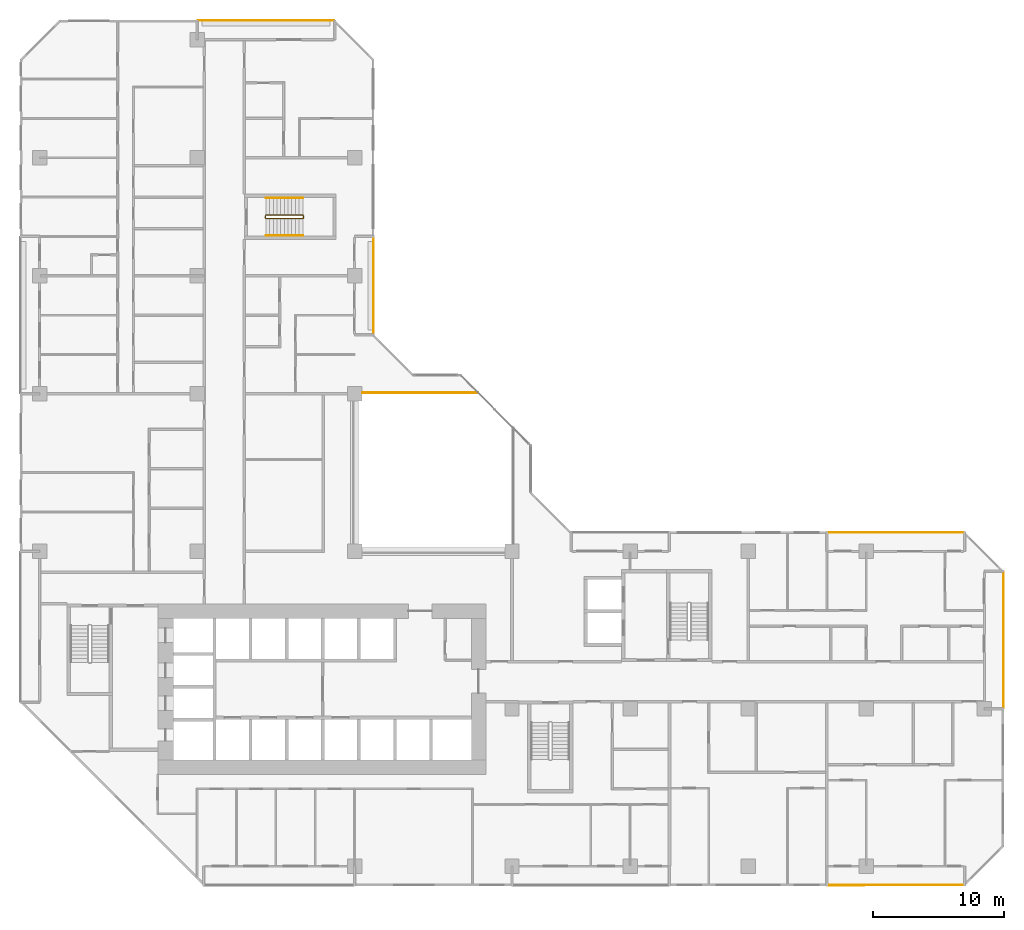
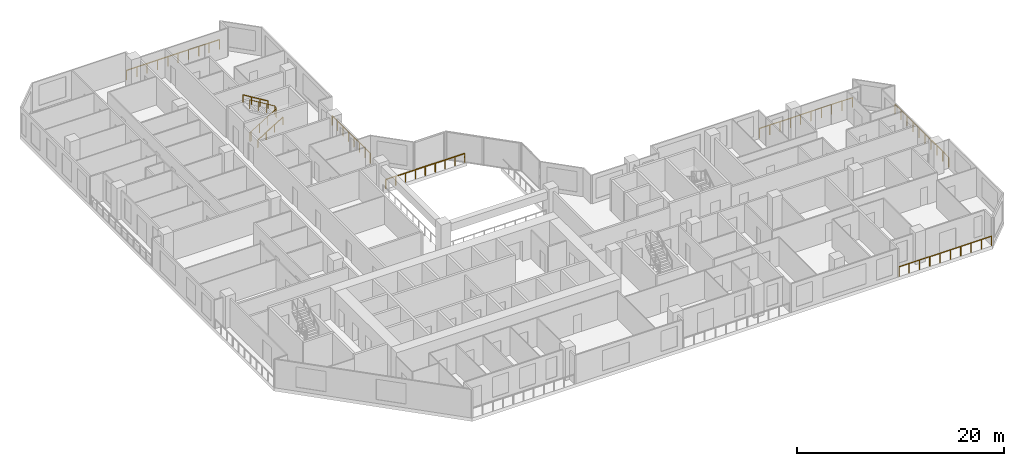
# One storey, part 15 of 15: 9 railings.
"""IFC4 building model written with IfcOpenShell, lengths in metres."""

from ifc_helpers import new_model, si_unit, direction, frame, origin, origin_2d, place, context, subcontext, project, spatial, rectangle, extrude, material, type_object, element, save


model = new_model("IFC4")

# Units and contexts
model_context = context("Model", 3, precision=1e-05, world=origin(), true_north=direction((0.0, 1.0)))
body_context = subcontext(model_context, "Body", "Model", "MODEL_VIEW")
ifc_project = project(units=[si_unit("LENGTHUNIT", "METRE"), si_unit("AREAUNIT", "SQUARE_METRE"), si_unit("VOLUMEUNIT", "CUBIC_METRE"), si_unit("PLANEANGLEUNIT", "RADIAN"), si_unit("MASSUNIT", "GRAM", prefix="KILO")], contexts=[model_context])

# Site, building, storey
site_placement = place(None, origin())
site = spatial("IfcSite", under=ifc_project, at=site_placement, CompositionType="ELEMENT")
building_placement = place(site_placement, origin())
building = spatial("IfcBuilding", under=site, at=building_placement, Name="Chenar Terraces", CompositionType="ELEMENT")
storey_placement = place(building_placement, frame((0.0, 0.0, 60.14990234375)))
storey = spatial("IfcBuildingStorey", under=building, at=storey_placement, Name="L12", CompositionType="ELEMENT", Elevation=60.14990234375)

# Railings
ifc_material_1 = material(Name="Powder-coated steel", Category="steel")
railing_type_1 = type_object("IfcRailingType", Name="Guard 1100 steel rail with glass infill", PredefinedType="GUARDRAIL", material=ifc_material_1)
railing_1_placement = place(storey_placement, frame((24.60009765625, 36.10009765625, 0.0)))
element("IfcRailing", 1, at=railing_1_placement, inside=storey, type_object=railing_type_1, Name="Guard L12-2", PredefinedType="GUARDRAIL", context=body_context, shape_type="SweptSolid", body=[
    extrude(rectangle(XDim=0.06005859375, YDim=0.06005859375, at=origin_2d()), frame((0.0, 0.0, 1.070068359375), z_axis=(1.0, 0.0, 0.0), x_axis=(0.0, 1.0, 0.0)), (0.0, 0.0, 1.0), 8.7998046875),
    extrude(rectangle(XDim=0.050048828125, YDim=0.050048828125, at=origin_2d()), origin(), (0.0, 0.0, 1.0), 1.0400390625),
    extrude(rectangle(XDim=0.050048828125, YDim=0.050048828125, at=origin_2d()), frame((1.10009765625, 0.0, 0.0)), (0.0, 0.0, 1.0), 1.0400390625),
    extrude(rectangle(XDim=0.050048828125, YDim=0.050048828125, at=origin_2d()), frame((2.199951171875, 0.0, 0.0)), (0.0, 0.0, 1.0), 1.0400390625),
    extrude(rectangle(XDim=0.050048828125, YDim=0.050048828125, at=origin_2d()), frame((3.2998046875, 0.0, 0.0)), (0.0, 0.0, 1.0), 1.0400390625),
    extrude(rectangle(XDim=0.050048828125, YDim=0.050048828125, at=origin_2d()), frame((4.39990234375, 0.0, 0.0)), (0.0, 0.0, 1.0), 1.0400390625),
    extrude(rectangle(XDim=0.050048828125, YDim=0.050048828125, at=origin_2d()), frame((5.5, 0.0, 0.0)), (0.0, 0.0, 1.0), 1.0400390625),
    extrude(rectangle(XDim=0.050048828125, YDim=0.050048828125, at=origin_2d()), frame((6.599853515625, 0.0, 0.0)), (0.0, 0.0, 1.0), 1.0400390625),
    extrude(rectangle(XDim=0.050048828125, YDim=0.050048828125, at=origin_2d()), frame((7.69970703125, 0.0, 0.0)), (0.0, 0.0, 1.0), 1.0400390625),
    extrude(rectangle(XDim=0.050048828125, YDim=0.050048828125, at=origin_2d()), frame((8.7998046875, 0.0, 0.0)), (0.0, 0.0, 1.0), 1.0400390625),
])
ifc_material_2 = material(Name="Stainless steel and glass", Category="steel")
railing_type_2 = type_object("IfcRailingType", Name="Loggia guard 1150", PredefinedType="GUARDRAIL", material=ifc_material_2)
railing_2_placement = place(storey_placement, frame((25.449951171875, 40.574951171875, 0.0)))
element("IfcRailing", 2, at=railing_2_placement, inside=storey, type_object=railing_type_2, Name="Loggia guard", PredefinedType="GUARDRAIL", context=body_context, shape_type="SweptSolid", body=[
    extrude(rectangle(XDim=0.048095703125, YDim=0.048095703125, at=origin_2d()), frame((0.0, 0.0, 1.1259765625), z_axis=(0.0, 1.0, 0.0), x_axis=(-1.0, 0.0, 0.0)), (0.0, 0.0, 1.0), 7.35009765625),
    extrude(rectangle(XDim=0.0419921875, YDim=0.0419921875, at=origin_2d()), origin(), (0.0, 0.0, 1.0), 1.101806640625),
    extrude(rectangle(XDim=0.0419921875, YDim=0.0419921875, at=origin_2d()), frame((0.0, 1.050048828125, 0.0)), (0.0, 0.0, 1.0), 1.101806640625),
    extrude(rectangle(XDim=0.0419921875, YDim=0.0419921875, at=origin_2d()), frame((0.0, 2.10009765625, 0.0)), (0.0, 0.0, 1.0), 1.101806640625),
    extrude(rectangle(XDim=0.0419921875, YDim=0.0419921875, at=origin_2d()), frame((0.0, 3.150146484375, 0.0)), (0.0, 0.0, 1.0), 1.101806640625),
    extrude(rectangle(XDim=0.0419921875, YDim=0.0419921875, at=origin_2d()), frame((0.0, 4.199951171875, 0.0)), (0.0, 0.0, 1.0), 1.101806640625),
    extrude(rectangle(XDim=0.0419921875, YDim=0.0419921875, at=origin_2d()), frame((0.0, 5.25, 0.0)), (0.0, 0.0, 1.0), 1.101806640625),
    extrude(rectangle(XDim=0.0419921875, YDim=0.0419921875, at=origin_2d()), frame((0.0, 6.300048828125, 0.0)), (0.0, 0.0, 1.0), 1.101806640625),
    extrude(rectangle(XDim=0.0419921875, YDim=0.0419921875, at=origin_2d()), frame((0.0, 7.35009765625, 0.0)), (0.0, 0.0, 1.0), 1.101806640625),
])
railing_3_placement = place(storey_placement, frame((73.449951171875, 12.074951171875, 0.0)))
element("IfcRailing", 3, at=railing_3_placement, inside=storey, type_object=railing_type_2, Name="Loggia guard", PredefinedType="GUARDRAIL", context=body_context, shape_type="SweptSolid", body=[
    extrude(rectangle(XDim=0.048095703125, YDim=0.048095703125, at=origin_2d()), frame((0.0, 0.0, 1.1259765625), z_axis=(0.0, 1.0, 0.0), x_axis=(-1.0, 0.0, 0.0)), (0.0, 0.0, 1.0), 10.35009765625),
    extrude(rectangle(XDim=0.0419921875, YDim=0.0419921875, at=origin_2d()), origin(), (0.0, 0.0, 1.0), 1.101806640625),
    extrude(rectangle(XDim=0.0419921875, YDim=0.0419921875, at=origin_2d()), frame((0.0, 1.14990234375, 0.0)), (0.0, 0.0, 1.0), 1.101806640625),
    extrude(rectangle(XDim=0.0419921875, YDim=0.0419921875, at=origin_2d()), frame((0.0, 2.300048828125, 0.0)), (0.0, 0.0, 1.0), 1.101806640625),
    extrude(rectangle(XDim=0.0419921875, YDim=0.0419921875, at=origin_2d()), frame((0.0, 3.449951171875, 0.0)), (0.0, 0.0, 1.0), 1.101806640625),
    extrude(rectangle(XDim=0.0419921875, YDim=0.0419921875, at=origin_2d()), frame((0.0, 4.60009765625, 0.0)), (0.0, 0.0, 1.0), 1.101806640625),
    extrude(rectangle(XDim=0.0419921875, YDim=0.0419921875, at=origin_2d()), frame((0.0, 5.75, 0.0)), (0.0, 0.0, 1.0), 1.101806640625),
    extrude(rectangle(XDim=0.0419921875, YDim=0.0419921875, at=origin_2d()), frame((0.0, 6.900146484375, 0.0)), (0.0, 0.0, 1.0), 1.101806640625),
    extrude(rectangle(XDim=0.0419921875, YDim=0.0419921875, at=origin_2d()), frame((0.0, 8.050048828125, 0.0)), (0.0, 0.0, 1.0), 1.101806640625),
    extrude(rectangle(XDim=0.0419921875, YDim=0.0419921875, at=origin_2d()), frame((0.0, 9.2001953125, 0.0)), (0.0, 0.0, 1.0), 1.101806640625),
    extrude(rectangle(XDim=0.0419921875, YDim=0.0419921875, at=origin_2d()), frame((0.0, 10.35009765625, 0.0)), (0.0, 0.0, 1.0), 1.101806640625),
])
for number, where, name in (
    (4, (70.425048828125, 25.449951171875, 0.0), "Loggia guard"),
    (5, (22.425048828125, 64.449951171875, 0.0), "Loggia guard"),
):
    element("IfcRailing", number, at=place(storey_placement, frame(where)), inside=storey, type_object=railing_type_2, Name=name, PredefinedType="GUARDRAIL", context=body_context, shape_type="SweptSolid", body=[
        extrude(rectangle(XDim=0.048095703125, YDim=0.048095703125, at=origin_2d()), frame((0.0, 0.0, 1.1259765625), z_axis=(-1.0, 0.0, 0.0), x_axis=(0.0, -1.0, 0.0)), (0.0, 0.0, 1.0), 10.35009765625),
        extrude(rectangle(XDim=0.0419921875, YDim=0.0419921875, at=origin_2d()), origin(), (0.0, 0.0, 1.0), 1.101806640625),
        extrude(rectangle(XDim=0.0419921875, YDim=0.0419921875, at=origin_2d()), frame((-1.14990234375, 0.0, 0.0)), (0.0, 0.0, 1.0), 1.101806640625),
        extrude(rectangle(XDim=0.0419921875, YDim=0.0419921875, at=origin_2d()), frame((-2.300048828125, 0.0, 0.0)), (0.0, 0.0, 1.0), 1.101806640625),
        extrude(rectangle(XDim=0.0419921875, YDim=0.0419921875, at=origin_2d()), frame((-3.449951171875, 0.0, 0.0)), (0.0, 0.0, 1.0), 1.101806640625),
        extrude(rectangle(XDim=0.0419921875, YDim=0.0419921875, at=origin_2d()), frame((-4.60009765625, 0.0, 0.0)), (0.0, 0.0, 1.0), 1.101806640625),
        extrude(rectangle(XDim=0.0419921875, YDim=0.0419921875, at=origin_2d()), frame((-5.75, 0.0, 0.0)), (0.0, 0.0, 1.0), 1.101806640625),
        extrude(rectangle(XDim=0.0419921875, YDim=0.0419921875, at=origin_2d()), frame((-6.900146484375, 0.0, 0.0)), (0.0, 0.0, 1.0), 1.101806640625),
        extrude(rectangle(XDim=0.0419921875, YDim=0.0419921875, at=origin_2d()), frame((-8.050048828125, 0.0, 0.0)), (0.0, 0.0, 1.0), 1.101806640625),
        extrude(rectangle(XDim=0.0419921875, YDim=0.0419921875, at=origin_2d()), frame((-9.2001953125, 0.0, 0.0)), (0.0, 0.0, 1.0), 1.101806640625),
        extrude(rectangle(XDim=0.0419921875, YDim=0.0419921875, at=origin_2d()), frame((-10.35009765625, 0.0, 0.0)), (0.0, 0.0, 1.0), 1.101806640625),
    ])
railing_4_placement = place(storey_placement, frame((60.074951171875, -1.449951171875, 0.0)))
element("IfcRailing", 6, at=railing_4_placement, inside=storey, type_object=railing_type_2, Name="Loggia guard", PredefinedType="GUARDRAIL", context=body_context, shape_type="SweptSolid", body=[
    extrude(rectangle(XDim=0.048095703125, YDim=0.048095703125, at=origin_2d()), frame((0.0, 0.0, 1.1259765625), z_axis=(1.0, 0.0, 0.0), x_axis=(0.0, 1.0, 0.0)), (0.0, 0.0, 1.0), 10.35009765625),
    extrude(rectangle(XDim=0.0419921875, YDim=0.0419921875, at=origin_2d()), origin(), (0.0, 0.0, 1.0), 1.101806640625),
    extrude(rectangle(XDim=0.0419921875, YDim=0.0419921875, at=origin_2d()), frame((1.14990234375, 0.0, 0.0)), (0.0, 0.0, 1.0), 1.101806640625),
    extrude(rectangle(XDim=0.0419921875, YDim=0.0419921875, at=origin_2d()), frame((2.300048828125, 0.0, 0.0)), (0.0, 0.0, 1.0), 1.101806640625),
    extrude(rectangle(XDim=0.0419921875, YDim=0.0419921875, at=origin_2d()), frame((3.449951171875, 0.0, 0.0)), (0.0, 0.0, 1.0), 1.101806640625),
    extrude(rectangle(XDim=0.0419921875, YDim=0.0419921875, at=origin_2d()), frame((4.60009765625, 0.0, 0.0)), (0.0, 0.0, 1.0), 1.101806640625),
    extrude(rectangle(XDim=0.0419921875, YDim=0.0419921875, at=origin_2d()), frame((5.75, 0.0, 0.0)), (0.0, 0.0, 1.0), 1.101806640625),
    extrude(rectangle(XDim=0.0419921875, YDim=0.0419921875, at=origin_2d()), frame((6.900146484375, 0.0, 0.0)), (0.0, 0.0, 1.0), 1.101806640625),
    extrude(rectangle(XDim=0.0419921875, YDim=0.0419921875, at=origin_2d()), frame((8.050048828125, 0.0, 0.0)), (0.0, 0.0, 1.0), 1.101806640625),
    extrude(rectangle(XDim=0.0419921875, YDim=0.0419921875, at=origin_2d()), frame((9.2001953125, 0.0, 0.0)), (0.0, 0.0, 1.0), 1.101806640625),
    extrude(rectangle(XDim=0.0419921875, YDim=0.0419921875, at=origin_2d()), frame((10.35009765625, 0.0, 0.0)), (0.0, 0.0, 1.0), 1.101806640625),
])
ifc_material_3 = material(Name="Powder-coated steel", Category="steel")
railing_type_3 = type_object("IfcRailingType", Name="Stair guard 1100", PredefinedType="GUARDRAIL", material=ifc_material_3)
railing_5_placement = place(storey_placement, frame((17.25, 49.625, 3.75)))
element("IfcRailing", 7, at=railing_5_placement, inside=storey, type_object=railing_type_3, Name="L12 ST4 stair guard 1", PredefinedType="GUARDRAIL", context=body_context, shape_type="SweptSolid", body=[
    extrude(rectangle(XDim=0.048095703125, YDim=0.048095703125, at=origin_2d()), frame((0.0, 0.0, 1.076171875), z_axis=(0.854202870247, 0.0, -0.519939858505), x_axis=(0.0, 1.0, 0.0)), (0.0, 0.0, 1.0), 3.278076171875),
    extrude(rectangle(XDim=0.048095703125, YDim=0.048095703125, at=origin_2d()), frame((2.800048828125, 0.0, -0.62841796875), z_axis=(0.270899902878, -0.270899902878, -0.923702595667), x_axis=(0.707106781187, 0.707106781187, 0.0)), (0.0, 0.0, 1.0), 0.184814453125),
    extrude(rectangle(XDim=0.048095703125, YDim=0.048095703125, at=origin_2d()), frame((2.85009765625, -0.050048828125, -0.798828125), z_axis=(0.0, -1.0, 0.0), x_axis=(1.0, 0.0, 0.0)), (0.0, 0.0, 1.0), 0.14990234375),
    extrude(rectangle(XDim=0.048095703125, YDim=0.048095703125, at=origin_2d()), frame((2.85009765625, -0.199951171875, -0.798828125), z_axis=(-0.707106781187, -0.707106781187, 0.0), x_axis=(0.707106781187, -0.707106781187, 0.0)), (0.0, 0.0, 1.0), 0.07080078125),
    extrude(rectangle(XDim=0.048095703125, YDim=0.048095703125, at=origin_2d()), frame((2.800048828125, -0.25, -0.798828125), z_axis=(-0.854202870247, 0.0, -0.519939858505), x_axis=(0.0, -1.0, 0.0)), (0.0, 0.0, 1.0), 3.278076171875),
    extrude(rectangle(XDim=0.048095703125, YDim=0.048095703125, at=origin_2d()), frame((0.0, -0.25, -2.50341796875), z_axis=(-0.270899902878, 0.270899902878, -0.923702595667), x_axis=(-0.707106781187, -0.707106781187, 0.0)), (0.0, 0.0, 1.0), 0.184814453125),
    extrude(rectangle(XDim=0.048095703125, YDim=0.048095703125, at=origin_2d()), frame((-0.050048828125, -0.199951171875, -2.673828125), z_axis=(0.0, 1.0, 0.0), x_axis=(-1.0, 0.0, 0.0)), (0.0, 0.0, 1.0), 0.14990234375),
    extrude(rectangle(XDim=0.0419921875, YDim=0.0419921875, at=origin_2d()), origin(), (0.0, 0.0, 1.0), 1.052001953125),
    extrude(rectangle(XDim=0.0419921875, YDim=0.0419921875, at=origin_2d()), frame((0.933349609375, 0.0, -0.568115234375)), (0.0, 0.0, 1.0), 1.052001953125),
    extrude(rectangle(XDim=0.0419921875, YDim=0.0419921875, at=origin_2d()), frame((1.86669921875, 0.0, -1.13623046875)), (0.0, 0.0, 1.0), 1.052001953125),
    extrude(rectangle(XDim=0.0419921875, YDim=0.0419921875, at=origin_2d()), frame((2.800048828125, 0.0, -1.704345703125)), (0.0, 0.0, 1.0), 1.052001953125),
    extrude(rectangle(XDim=0.0419921875, YDim=0.0419921875, at=origin_2d()), frame((2.85009765625, -0.050048828125, -1.875)), (0.0, 0.0, 1.0), 1.052001953125),
    extrude(rectangle(XDim=0.0419921875, YDim=0.0419921875, at=origin_2d()), frame((2.85009765625, -0.199951171875, -1.875)), (0.0, 0.0, 1.0), 1.052001953125),
    extrude(rectangle(XDim=0.0419921875, YDim=0.0419921875, at=origin_2d()), frame((2.800048828125, -0.25, -1.875)), (0.0, 0.0, 1.0), 1.052001953125),
    extrude(rectangle(XDim=0.0419921875, YDim=0.0419921875, at=origin_2d()), frame((1.86669921875, -0.25, -2.443115234375)), (0.0, 0.0, 1.0), 1.052001953125),
    extrude(rectangle(XDim=0.0419921875, YDim=0.0419921875, at=origin_2d()), frame((0.933349609375, -0.25, -3.01123046875)), (0.0, 0.0, 1.0), 1.052001953125),
    extrude(rectangle(XDim=0.0419921875, YDim=0.0419921875, at=origin_2d()), frame((0.0, -0.25, -3.579345703125)), (0.0, 0.0, 1.0), 1.052001953125),
    extrude(rectangle(XDim=0.0419921875, YDim=0.0419921875, at=origin_2d()), frame((-0.050048828125, -0.199951171875, -3.75)), (0.0, 0.0, 1.0), 1.052001953125),
    extrude(rectangle(XDim=0.0419921875, YDim=0.0419921875, at=origin_2d()), frame((-0.050048828125, -0.050048828125, -3.75)), (0.0, 0.0, 1.0), 1.052001953125),
])
ifc_material_4 = material(Name="Powder-coated steel", Category="steel")
railing_type_4 = type_object("IfcRailingType", Name="Stair handrail 900", PredefinedType="HANDRAIL", material=ifc_material_4)
railing_6_placement = place(storey_placement, frame((17.25, 48.074951171875, 0.170654296875)))
element("IfcRailing", 8, at=railing_6_placement, inside=storey, type_object=railing_type_4, Name="L12 ST4 stair handrail 1", PredefinedType="HANDRAIL", context=body_context, shape_type="SweptSolid", body=[
    extrude(rectangle(XDim=0.048095703125, YDim=0.048095703125, at=origin_2d()), frame((0.0, 0.0, 0.8759765625), z_axis=(0.854202870247, 0.0, 0.519939858505), x_axis=(0.0, 1.0, 0.0)), (0.0, 0.0, 1.0), 3.278076171875),
    extrude(rectangle(XDim=0.0419921875, YDim=0.0419921875, at=origin_2d()), origin(), (0.0, 0.0, 1.0), 0.851806640625),
    extrude(rectangle(XDim=0.0419921875, YDim=0.0419921875, at=origin_2d()), frame((0.933349609375, 0.0, 0.568115234375)), (0.0, 0.0, 1.0), 0.851806640625),
    extrude(rectangle(XDim=0.0419921875, YDim=0.0419921875, at=origin_2d()), frame((1.86669921875, 0.0, 1.13623046875)), (0.0, 0.0, 1.0), 0.851806640625),
    extrude(rectangle(XDim=0.0419921875, YDim=0.0419921875, at=origin_2d()), frame((2.800048828125, 0.0, 1.704345703125)), (0.0, 0.0, 1.0), 0.851806640625),
])
railing_7_placement = place(storey_placement, frame((20.050048828125, 50.925048828125, 2.045654296875)))
element("IfcRailing", 9, at=railing_7_placement, inside=storey, type_object=railing_type_4, Name="L12 ST4 stair handrail 2", PredefinedType="HANDRAIL", context=body_context, shape_type="SweptSolid", body=[
    extrude(rectangle(XDim=0.048095703125, YDim=0.048095703125, at=origin_2d()), frame((0.0, 0.0, 0.8759765625), z_axis=(-0.854202870247, 0.0, 0.519939858505), x_axis=(0.0, -1.0, 0.0)), (0.0, 0.0, 1.0), 3.278076171875),
    extrude(rectangle(XDim=0.0419921875, YDim=0.0419921875, at=origin_2d()), origin(), (0.0, 0.0, 1.0), 0.851806640625),
    extrude(rectangle(XDim=0.0419921875, YDim=0.0419921875, at=origin_2d()), frame((-0.933349609375, 0.0, 0.568115234375)), (0.0, 0.0, 1.0), 0.851806640625),
    extrude(rectangle(XDim=0.0419921875, YDim=0.0419921875, at=origin_2d()), frame((-1.86669921875, 0.0, 1.13623046875)), (0.0, 0.0, 1.0), 0.851806640625),
    extrude(rectangle(XDim=0.0419921875, YDim=0.0419921875, at=origin_2d()), frame((-2.800048828125, 0.0, 1.704345703125)), (0.0, 0.0, 1.0), 0.851806640625),
])

save(model, "model.ifc")
